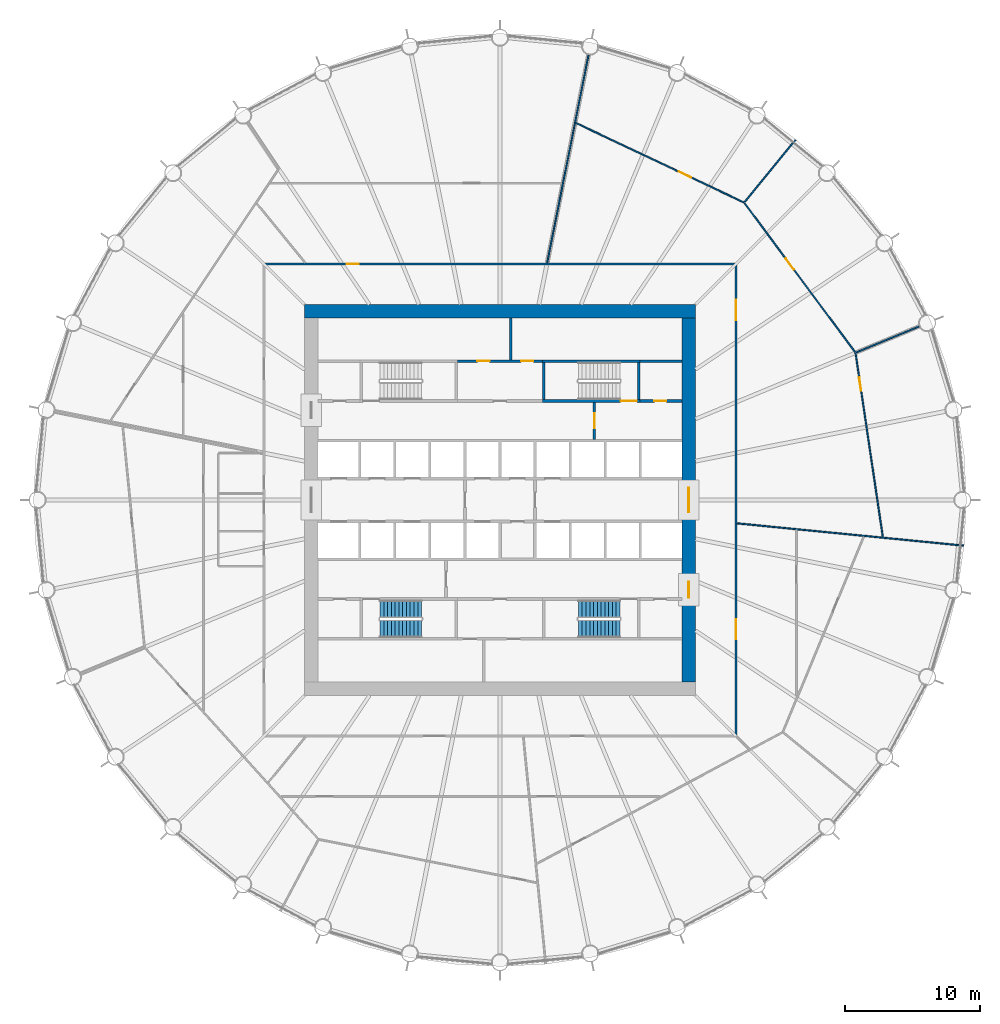
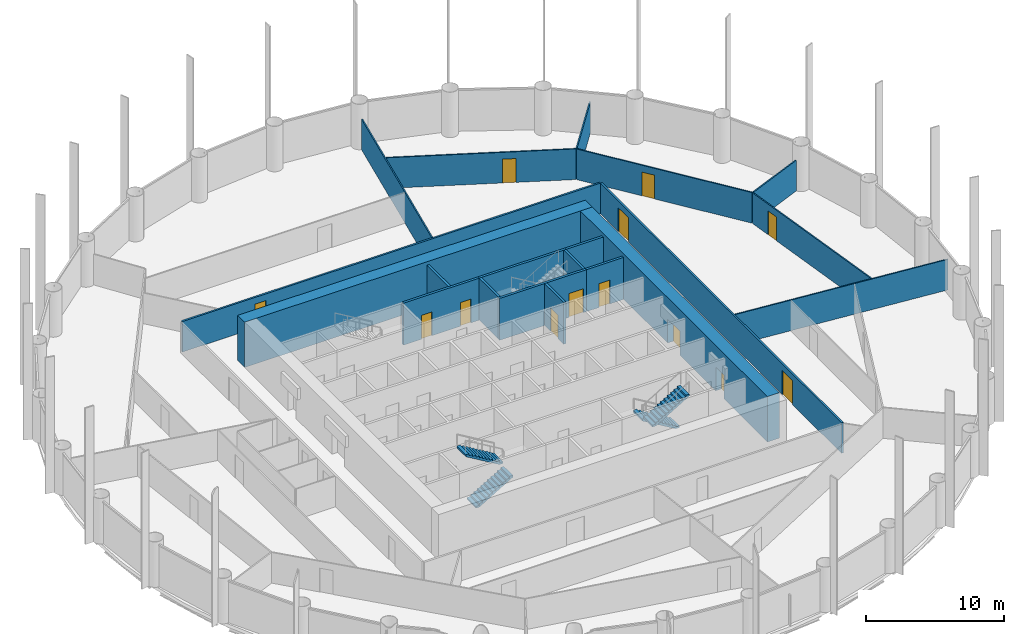
# One storey, part 7 of 10: 20 walls, 13 doors, 4 stair flights, 13 openings, 2 elements without a shape of their own.
"""IFC4 building model written with IfcOpenShell, lengths in metres."""

from ifc_helpers import new_model, si_unit, direction, frame, frame_2d, origin, place, context, subcontext, project, spatial, polyline, rectangle, outline, extrude, material, layer, layer_set, type_object, element, fill, aggregate, save


model = new_model("IFC4")

# Units and contexts
model_context = context("Model", 3, precision=1e-05, world=origin(), true_north=direction((0.0, 1.0)))
body_context = subcontext(model_context, "Body", "Model", "MODEL_VIEW")
ifc_project = project(units=[si_unit("LENGTHUNIT", "METRE"), si_unit("AREAUNIT", "SQUARE_METRE"), si_unit("VOLUMEUNIT", "CUBIC_METRE"), si_unit("PLANEANGLEUNIT", "RADIAN"), si_unit("MASSUNIT", "GRAM", prefix="KILO")], contexts=[model_context])

# Site, building, storey
site_placement = place(None, origin())
site = spatial("IfcSite", under=ifc_project, at=site_placement, CompositionType="ELEMENT")
building_placement = place(site_placement, origin())
building = spatial("IfcBuilding", under=site, at=building_placement, Name="Corvane Civic Tower", CompositionType="ELEMENT")
storey_placement = place(building_placement, frame((0.0, 0.0, 106.5)))
storey = spatial("IfcBuildingStorey", under=building, at=storey_placement, Name="L24", CompositionType="ELEMENT", Elevation=106.5)

# Wall
ifc_material_1 = material(Name="Concrete C70/85", Category="concrete")
ifc_layer_1 = layer(ifc_material_1, 1.0)
ifc_layer_set_1 = layer_set([ifc_layer_1], Name="Concrete C70/85")
wall_type_1 = type_object("IfcWallType", Name="CORE WALL 1000 C70/85", PredefinedType="SHEAR", material=ifc_layer_set_1)
wall_1_placement = place(storey_placement, frame((-14.5, 14.0, 0.0), z_axis=(0.0, 0.0, 1.0), x_axis=(1.0, 0.0, 0.0)))
element("IfcWall", 1, at=wall_1_placement, inside=storey, type_object=wall_type_1, Name="W-L24-core-N", PredefinedType="SHEAR", context=body_context, shape_type="SweptSolid", body=[
    extrude(rectangle(XDim=29.0, YDim=1.0, at=frame_2d((14.5, 0.0))), origin(), (0.0, 0.0, 1.0), 4.0),
])

# Wall, openings, doors
wall_2_placement = place(storey_placement, frame((14.0, -13.5, 0.0), z_axis=(0.0, 0.0, 1.0), x_axis=(0.0, 1.0, 0.0)))
wall_2 = element("IfcWall", 2, at=wall_2_placement, inside=storey, type_object=wall_type_1, Name="W-L24-core-E", PredefinedType="SHEAR", context=body_context, shape_type="SweptSolid", body=[
    extrude(rectangle(XDim=27.0, YDim=1.0, at=frame_2d((13.5, 0.0))), origin(), (0.0, 0.0, 1.0), 4.0),
])
opening_1_placement = place(wall_2_placement, frame((12.60009765625, 0.0, 0.0)))
opening_1 = element("IfcOpeningElement", 3, at=opening_1_placement, cuts=wall_2, Name="Opening L24.C21", PredefinedType="OPENING", context=body_context, shape_type="SweptSolid", body=[
    extrude(rectangle(XDim=1.800048828125, YDim=2.10009765625, at=frame_2d((0.89990234375, 1.050048828125))), frame((0.0, 0.510009765625, 0.0), z_axis=(0.0, -1.0, 0.0), x_axis=(1.0, 0.0, 0.0)), (0.0, 0.0, 1.0), 1.02001953125),
])
opening_2_placement = place(wall_2_placement, frame((6.25, 0.0, 0.0)))
opening_2 = element("IfcOpeningElement", 4, at=opening_2_placement, cuts=wall_2, Name="Opening L24.C23", PredefinedType="OPENING", context=body_context, shape_type="SweptSolid", body=[
    extrude(rectangle(XDim=1.199951171875, YDim=2.10009765625, at=frame_2d((0.60009765625, 1.050048828125))), frame((0.0, 0.510009765625, 0.0), z_axis=(0.0, -1.0, 0.0), x_axis=(1.0, 0.0, 0.0)), (0.0, 0.0, 1.0), 1.02001953125),
])
ifc_material_2 = material(Name="Steel fire door leaf", Category="steel")
door_type_1 = type_object("IfcDoorType", Name="CR-DOOR-CORE-1800", OperationType="DOUBLE_DOOR_SINGLE_SWING", PredefinedType="DOOR", material=ifc_material_2)
door_1_placement = place(opening_1_placement, origin())
door_1 = element("IfcDoor", 5, at=door_1_placement, inside=storey, type_object=door_type_1, Name="L24 door", OperationType="DOUBLE_DOOR_SINGLE_SWING", OverallHeight=2.10009765625, OverallWidth=1.800048828125, PredefinedType="DOOR", context=body_context, shape_type="SweptSolid", body=[
    extrude(rectangle(XDim=1.800048828125, YDim=2.10009765625, at=frame_2d((0.89990234375, 1.050048828125))), frame((0.0, 0.02490234375, 0.0), z_axis=(0.0, -1.0, 0.0), x_axis=(1.0, 0.0, 0.0)), (0.0, 0.0, 1.0), 0.050048828125),
])
fill(opening_1, door_1)
door_2_placement = place(opening_2_placement, origin())
door_2 = element("IfcDoor", 6, at=door_2_placement, inside=storey, type_object=door_type_1, Name="L24 door", OperationType="DOUBLE_DOOR_SINGLE_SWING", OverallHeight=2.10009765625, OverallWidth=1.199951171875, PredefinedType="DOOR", context=body_context, shape_type="SweptSolid", body=[
    extrude(rectangle(XDim=1.199951171875, YDim=2.10009765625, at=frame_2d((0.60009765625, 1.050048828125))), frame((0.0, 0.02490234375, 0.0), z_axis=(0.0, -1.0, 0.0), x_axis=(1.0, 0.0, 0.0)), (0.0, 0.0, 1.0), 0.050048828125),
])
fill(opening_2, door_2)

# Wall, opening, door
ifc_material_3 = material(Name="Concrete C30/37", Category="concrete")
ifc_layer_2 = layer(ifc_material_3, 0.199951171875)
ifc_layer_set_2 = layer_set([ifc_layer_2], Name="Concrete C30/37")
wall_type_2 = type_object("IfcWallType", Name="CR-WALL-200", PredefinedType="PARTITIONING", material=ifc_layer_set_2)
wall_3_placement = place(storey_placement, frame((10.39990234375, 7.35009765625, 0.0), z_axis=(0.0, 0.0, 1.0), x_axis=(1.0, 0.0, 0.0)))
wall_3 = element("IfcWall", 7, at=wall_3_placement, inside=storey, type_object=wall_type_2, Name="L24 core partition wall", PredefinedType="PARTITIONING", context=body_context, shape_type="SweptSolid", body=[
    extrude(rectangle(XDim=3.10009765625, YDim=0.199951171875, at=frame_2d((1.550048828125, 0.0))), origin(), (0.0, 0.0, 1.0), 3.699951171875),
])
opening_3_placement = place(wall_3_placement, frame((1.050048828125, 0.0, 0.0)))
opening_3 = element("IfcOpeningElement", 8, at=opening_3_placement, cuts=wall_3, Name="Opening L24.C10", PredefinedType="OPENING", context=body_context, shape_type="SweptSolid", body=[
    extrude(rectangle(XDim=0.89990234375, YDim=2.10009765625, at=frame_2d((0.449951171875, 1.050048828125))), frame((0.0, 0.10986328125, 0.0), z_axis=(0.0, -1.0, 0.0), x_axis=(1.0, 0.0, 0.0)), (0.0, 0.0, 1.0), 0.219970703125),
])
ifc_material_4 = material(Name="Steel fire door leaf", Category="steel")
door_type_2 = type_object("IfcDoorType", Name="CR-DOOR-900", OperationType="SINGLE_SWING_LEFT", PredefinedType="DOOR", material=ifc_material_4)
door_3_placement = place(opening_3_placement, origin())
door_3 = element("IfcDoor", 9, at=door_3_placement, inside=storey, type_object=door_type_2, Name="L24 door", OperationType="SINGLE_SWING_LEFT", OverallHeight=2.10009765625, OverallWidth=0.89990234375, PredefinedType="DOOR", context=body_context, shape_type="SweptSolid", body=[
    extrude(rectangle(XDim=0.89990234375, YDim=2.10009765625, at=frame_2d((0.449951171875, 1.050048828125))), frame((0.0, 0.02490234375, 0.0), z_axis=(0.0, -1.0, 0.0), x_axis=(1.0, 0.0, 0.0)), (0.0, 0.0, 1.0), 0.050048828125),
])
fill(opening_3, door_3)

# Wall, openings, doors
wall_4_placement = place(storey_placement, frame((-3.14990234375, 10.300048828125, 0.0), z_axis=(0.0, 0.0, 1.0), x_axis=(1.0, 0.0, 0.0)))
wall_4 = element("IfcWall", 10, at=wall_4_placement, inside=storey, type_object=wall_type_2, Name="L24 partition wall", PredefinedType="PARTITIONING", context=body_context, shape_type="SweptSolid", body=[
    extrude(rectangle(XDim=6.2998046875, YDim=0.199951171875, at=frame_2d((3.14990234375, 0.0))), origin(), (0.0, 0.0, 1.0), 3.699951171875),
])
opening_4_placement = place(wall_4_placement, frame((1.47509765625, 0.0, 0.0)))
opening_4 = element("IfcOpeningElement", 11, at=opening_4_placement, cuts=wall_4, Name="Opening L24.C04", PredefinedType="OPENING", context=body_context, shape_type="SweptSolid", body=[
    extrude(rectangle(XDim=0.89990234375, YDim=2.10009765625, at=frame_2d((0.449951171875, 1.050048828125))), frame((0.0, 0.10986328125, 0.0), z_axis=(0.0, -1.0, 0.0), x_axis=(1.0, 0.0, 0.0)), (0.0, 0.0, 1.0), 0.219970703125),
])
opening_5_placement = place(wall_4_placement, frame((4.72509765625, 0.0, 0.0)))
opening_5 = element("IfcOpeningElement", 12, at=opening_5_placement, cuts=wall_4, Name="Opening L24.C05", PredefinedType="OPENING", context=body_context, shape_type="SweptSolid", body=[
    extrude(rectangle(XDim=0.89990234375, YDim=2.10009765625, at=frame_2d((0.449951171875, 1.050048828125))), frame((0.0, 0.10986328125, 0.0), z_axis=(0.0, -1.0, 0.0), x_axis=(1.0, 0.0, 0.0)), (0.0, 0.0, 1.0), 0.219970703125),
])
door_4_placement = place(opening_4_placement, origin())
door_4 = element("IfcDoor", 13, at=door_4_placement, inside=storey, type_object=door_type_2, Name="L24 door", OperationType="SINGLE_SWING_LEFT", OverallHeight=2.10009765625, OverallWidth=0.89990234375, PredefinedType="DOOR", context=body_context, shape_type="SweptSolid", body=[
    extrude(rectangle(XDim=0.89990234375, YDim=2.10009765625, at=frame_2d((0.449951171875, 1.050048828125))), frame((0.0, 0.02490234375, 0.0), z_axis=(0.0, -1.0, 0.0), x_axis=(1.0, 0.0, 0.0)), (0.0, 0.0, 1.0), 0.050048828125),
])
fill(opening_4, door_4)
door_5_placement = place(opening_5_placement, origin())
door_5 = element("IfcDoor", 14, at=door_5_placement, inside=storey, type_object=door_type_2, Name="L24 door", OperationType="SINGLE_SWING_LEFT", OverallHeight=2.10009765625, OverallWidth=0.89990234375, PredefinedType="DOOR", context=body_context, shape_type="SweptSolid", body=[
    extrude(rectangle(XDim=0.89990234375, YDim=2.10009765625, at=frame_2d((0.449951171875, 1.050048828125))), frame((0.0, 0.02490234375, 0.0), z_axis=(0.0, -1.0, 0.0), x_axis=(1.0, 0.0, 0.0)), (0.0, 0.0, 1.0), 0.050048828125),
])
fill(opening_5, door_5)

# Wall, opening, door
wall_5_placement = place(storey_placement, frame((7.0, 4.5, 0.0), z_axis=(0.0, 0.0, 1.0), x_axis=(0.0, 1.0, 0.0)))
wall_5 = element("IfcWall", 15, at=wall_5_placement, inside=storey, type_object=wall_type_2, Name="L24 core partition wall", PredefinedType="PARTITIONING", context=body_context, shape_type="SweptSolid", body=[
    extrude(rectangle(XDim=2.75, YDim=0.199951171875, at=frame_2d((1.375, 0.0))), origin(), (0.0, 0.0, 1.0), 3.699951171875),
])
opening_6_placement = place(wall_5_placement, frame((0.824951171875, 0.0, 0.0)))
opening_6 = element("IfcOpeningElement", 16, at=opening_6_placement, cuts=wall_5, Name="Opening L24.C18", PredefinedType="OPENING", context=body_context, shape_type="SweptSolid", body=[
    extrude(rectangle(XDim=1.10009765625, YDim=2.10009765625, at=frame_2d((0.550048828125, 1.050048828125))), frame((0.0, 0.10986328125, 0.0), z_axis=(0.0, -1.0, 0.0), x_axis=(1.0, 0.0, 0.0)), (0.0, 0.0, 1.0), 0.219970703125),
])
ifc_material_5 = material(Name="Steel fire door leaf", Category="steel")
door_type_3 = type_object("IfcDoorType", Name="CR-DOOR-FFL-1100", OperationType="SINGLE_SWING_LEFT", PredefinedType="DOOR", material=ifc_material_5)
door_6_placement = place(opening_6_placement, origin())
door_6 = element("IfcDoor", 17, at=door_6_placement, inside=storey, type_object=door_type_3, Name="L24 lobby door", OperationType="SINGLE_SWING_LEFT", OverallHeight=2.10009765625, OverallWidth=1.10009765625, PredefinedType="DOOR", context=body_context, shape_type="SweptSolid", body=[
    extrude(rectangle(XDim=1.10009765625, YDim=2.10009765625, at=frame_2d((0.550048828125, 1.050048828125))), frame((0.0, 0.02490234375, 0.0), z_axis=(0.0, -1.0, 0.0), x_axis=(1.0, 0.0, 0.0)), (0.0, 0.0, 1.0), 0.050048828125),
])
fill(opening_6, door_6)

# Walls
wall_6_placement = place(storey_placement, origin())
element("IfcWall", 18, at=wall_6_placement, inside=storey, type_object=wall_type_2, Name="L24 core partition wall", PredefinedType="PARTITIONING", context=body_context, shape_type="SweptSolid", body=[
    extrude(outline(polyline([(0.89990234375, 10.39990234375), (0.699951171875, 10.39990234375), (0.699951171875, 13.5), (0.89990234375, 13.5), (0.89990234375, 10.39990234375)])), origin(), (0.0, 0.0, 1.0), 3.699951171875),
])
wall_7_placement = place(storey_placement, origin())
element("IfcWall", 19, at=wall_7_placement, inside=storey, type_object=wall_type_2, Name="L24 core partition wall", PredefinedType="PARTITIONING", context=body_context, shape_type="SweptSolid", body=[
    extrude(outline(polyline([(10.39990234375, 10.199951171875), (10.39990234375, 10.39990234375), (13.5, 10.39990234375), (13.5, 10.199951171875), (10.39990234375, 10.199951171875)])), origin(), (0.0, 0.0, 1.0), 3.699951171875),
])
ifc_material_6 = material(Name="Plasterboard")
ifc_layer_3 = layer(ifc_material_6, 0.10009765625)
ifc_layer_set_3 = layer_set([ifc_layer_3], Name="Plasterboard")
wall_type_3 = type_object("IfcWallType", Name="Partition 100 plasterboard on studs", PredefinedType="PARTITIONING", material=ifc_layer_set_3)
wall_8_placement = place(storey_placement, frame((17.579833984375, -1.7314453125, 0.0), z_axis=(0.0, 0.0, 1.0), x_axis=(0.995184818067, -0.098016212377, 0.0)))
element("IfcWall", 20, at=wall_8_placement, inside=storey, type_object=wall_type_3, Name="Partition L24.021", PredefinedType="PARTITIONING", context=body_context, shape_type="SweptSolid", body=[
    extrude(rectangle(XDim=16.88525390625, YDim=0.10009765625, at=frame_2d((8.442626953125, 0.0))), origin(), (0.0, 0.0, 1.0), 2.699951171875),
])

# Wall, opening, door
wall_9_placement = place(storey_placement, frame((26.376220703125, 10.884521484375, 0.0), z_axis=(0.0, 0.0, 1.0), x_axis=(0.146702255058, -0.989180695506, 0.0)))
wall_9 = element("IfcWall", 21, at=wall_9_placement, inside=storey, type_object=wall_type_3, Name="Partition L24.022", PredefinedType="PARTITIONING", context=body_context, shape_type="SweptSolid", body=[
    extrude(rectangle(XDim=13.767822265625, YDim=0.10009765625, at=frame_2d((6.8837890625, 0.0))), origin(), (0.0, 0.0, 1.0), 2.699951171875),
])
opening_7_placement = place(wall_9_placement, frame((1.8193359375, 0.0, 0.0)))
opening_7 = element("IfcOpeningElement", 22, at=opening_7_placement, cuts=wall_9, Name="Opening L24.003", PredefinedType="OPENING", context=body_context, shape_type="SweptSolid", body=[
    extrude(rectangle(XDim=1.0, YDim=2.10009765625, at=frame_2d((0.5, 1.050048828125))), frame((0.0, 0.06005859375, 0.0), z_axis=(0.0, -1.0, 0.0), x_axis=(1.0, 0.0, 0.0)), (0.0, 0.0, 1.0), 0.1201171875),
])
ifc_material_7 = material(Name="Timber", Category="wood")
door_type_4 = type_object("IfcDoorType", Name="Single door 1000", OperationType="NOTDEFINED", PredefinedType="DOOR", material=ifc_material_7)
door_7_placement = place(opening_7_placement, origin())
door_7 = element("IfcDoor", 23, at=door_7_placement, inside=storey, type_object=door_type_4, Name="Door L24.003", OperationType="SINGLE_SWING_LEFT", OverallHeight=2.10009765625, OverallWidth=1.0, PredefinedType="DOOR", context=body_context, shape_type="SweptSolid", body=[
    extrude(rectangle(XDim=1.0, YDim=2.10009765625, at=frame_2d((0.5, 1.050048828125))), frame((0.0, 0.02490234375, 0.0), z_axis=(0.0, -1.0, 0.0), x_axis=(1.0, 0.0, 0.0)), (0.0, 0.0, 1.0), 0.050048828125),
])
fill(opening_7, door_7)

# Wall
wall_10_placement = place(storey_placement, frame((26.406494140625, 10.93798828125, 0.0), z_axis=(0.0, 0.0, 1.0), x_axis=(0.923879254995, 0.382684102347, 0.0)))
element("IfcWall", 24, at=wall_10_placement, inside=storey, type_object=wall_type_3, Name="Partition L24.029", PredefinedType="PARTITIONING", context=body_context, shape_type="SweptSolid", body=[
    extrude(rectangle(XDim=5.082763671875, YDim=0.10009765625, at=frame_2d((2.54150390625, 0.0))), origin(), (0.0, 0.0, 1.0), 2.699951171875),
])

# Wall, opening, door
wall_11_placement = place(storey_placement, frame((18.130859375, 22.03271484375, 0.0), z_axis=(0.0, 0.0, 1.0), x_axis=(0.595700710937, -0.803206488388, 0.0)))
wall_11 = element("IfcWall", 25, at=wall_11_placement, inside=storey, type_object=wall_type_3, Name="Partition L24.030", PredefinedType="PARTITIONING", context=body_context, shape_type="SweptSolid", body=[
    extrude(rectangle(XDim=13.792724609375, YDim=0.10009765625, at=frame_2d((6.896484375, 0.0))), origin(), (0.0, 0.0, 1.0), 2.699951171875),
])
opening_8_placement = place(wall_11_placement, frame((5.144775390625, 0.0, 0.0)))
opening_8 = element("IfcOpeningElement", 26, at=opening_8_placement, cuts=wall_11, Name="Opening L24.002", PredefinedType="OPENING", context=body_context, shape_type="SweptSolid", body=[
    extrude(rectangle(XDim=1.0, YDim=2.10009765625, at=frame_2d((0.5, 1.050048828125))), frame((0.0, 0.06005859375, 0.0), z_axis=(0.0, -1.0, 0.0), x_axis=(1.0, 0.0, 0.0)), (0.0, 0.0, 1.0), 0.1201171875),
])
door_8_placement = place(opening_8_placement, origin())
door_8 = element("IfcDoor", 27, at=door_8_placement, inside=storey, type_object=door_type_4, Name="Door L24.002", OperationType="SINGLE_SWING_RIGHT", OverallHeight=2.10009765625, OverallWidth=1.0, PredefinedType="DOOR", context=body_context, shape_type="SweptSolid", body=[
    extrude(rectangle(XDim=1.0, YDim=2.10009765625, at=frame_2d((0.5, 1.050048828125))), frame((0.0, 0.02490234375, 0.0), z_axis=(0.0, -1.0, 0.0), x_axis=(1.0, 0.0, 0.0)), (0.0, 0.0, 1.0), 0.050048828125),
])
fill(opening_8, door_8)

# Wall
wall_12_placement = place(storey_placement, frame((3.497802734375, 17.584716796875, 0.0), z_axis=(0.0, 0.0, 1.0), x_axis=(0.195086660958, 0.980786008626, 0.0)))
element("IfcWall", 28, at=wall_12_placement, inside=storey, type_object=wall_type_3, Name="Partition L24.032", PredefinedType="PARTITIONING", context=body_context, shape_type="SweptSolid", body=[
    extrude(rectangle(XDim=15.735595703125, YDim=0.10009765625, at=frame_2d((7.86767578125, 0.0))), origin(), (0.0, 0.0, 1.0), 2.699951171875),
])

# Wall, opening, door
wall_13_placement = place(storey_placement, frame((5.62646484375, 27.967041015625, 0.0), z_axis=(0.0, 0.0, 1.0), x_axis=(0.903994764838, -0.42754352427, 0.0)))
wall_13 = element("IfcWall", 29, at=wall_13_placement, inside=storey, type_object=wall_type_3, Name="Partition L24.034", PredefinedType="PARTITIONING", context=body_context, shape_type="SweptSolid", body=[
    extrude(rectangle(XDim=13.767578125, YDim=0.10009765625, at=frame_2d((6.8837890625, 0.0))), origin(), (0.0, 0.0, 1.0), 2.699951171875),
])
opening_9_placement = place(wall_13_placement, frame((8.445068359375, 0.0, 0.0)))
opening_9 = element("IfcOpeningElement", 30, at=opening_9_placement, cuts=wall_13, Name="Opening L24.001", PredefinedType="OPENING", context=body_context, shape_type="SweptSolid", body=[
    extrude(rectangle(XDim=1.0, YDim=2.10009765625, at=frame_2d((0.5, 1.050048828125))), frame((0.0, 0.06005859375, 0.0), z_axis=(0.0, -1.0, 0.0), x_axis=(1.0, 0.0, 0.0)), (0.0, 0.0, 1.0), 0.1201171875),
])
door_9_placement = place(opening_9_placement, origin())
door_9 = element("IfcDoor", 31, at=door_9_placement, inside=storey, type_object=door_type_4, Name="Door L24.001", OperationType="SINGLE_SWING_LEFT", OverallHeight=2.10009765625, OverallWidth=1.0, PredefinedType="DOOR", context=body_context, shape_type="SweptSolid", body=[
    extrude(rectangle(XDim=1.0, YDim=2.10009765625, at=frame_2d((0.5, 1.050048828125))), frame((0.0, 0.02490234375, 0.0), z_axis=(0.0, -1.0, 0.0), x_axis=(1.0, 0.0, 0.0)), (0.0, 0.0, 1.0), 0.050048828125),
])
fill(opening_9, door_9)

# Wall
wall_14_placement = place(storey_placement, frame((18.13232421875, 22.09423828125, 0.0), z_axis=(0.0, 0.0, 1.0), x_axis=(0.634384310578, 0.773017817707, 0.0)))
element("IfcWall", 32, at=wall_14_placement, inside=storey, type_object=wall_type_3, Name="Partition L24.035", PredefinedType="PARTITIONING", context=body_context, shape_type="SweptSolid", body=[
    extrude(rectangle(XDim=5.96826171875, YDim=0.10009765625, at=frame_2d((2.984130859375, 0.0))), origin(), (0.0, 0.0, 1.0), 2.699951171875),
])

# Wall, opening, door
ifc_material_8 = material(Name="Concrete C50/60", Category="concrete")
ifc_layer_4 = layer(ifc_material_8, 0.199951171875)
ifc_layer_set_4 = layer_set([ifc_layer_4], Name="Concrete C50/60")
wall_type_4 = type_object("IfcWallType", Name="ST-WALL-200", PredefinedType="SHEAR", material=ifc_layer_set_4)
wall_15_placement = place(storey_placement, frame((3.14990234375, 7.35009765625, 0.0), z_axis=(0.0, 0.0, 1.0), x_axis=(1.0, 0.0, 0.0)))
wall_15 = element("IfcWall", 33, at=wall_15_placement, inside=storey, type_object=wall_type_4, Name="L24 stair enclosure wall", PredefinedType="SHEAR", context=body_context, shape_type="SweptSolid", body=[
    extrude(rectangle(XDim=7.25, YDim=0.199951171875, at=frame_2d((3.625, 0.0))), origin(), (0.0, 0.0, 1.0), 3.699951171875),
])
opening_10_placement = place(wall_15_placement, frame((5.800048828125, 0.0, 0.0)))
opening_10 = element("IfcOpeningElement", 34, at=opening_10_placement, cuts=wall_15, Name="Opening L24.C12", PredefinedType="OPENING", context=body_context, shape_type="SweptSolid", body=[
    extrude(rectangle(XDim=1.199951171875, YDim=2.10009765625, at=frame_2d((0.60009765625, 1.050048828125))), frame((0.0, 0.10986328125, 0.0), z_axis=(0.0, -1.0, 0.0), x_axis=(1.0, 0.0, 0.0)), (0.0, 0.0, 1.0), 0.219970703125),
])
ifc_material_9 = material(Name="Steel fire door leaf", Category="steel")
door_type_5 = type_object("IfcDoorType", Name="ST-DOOR-1200", OperationType="SINGLE_SWING_RIGHT", PredefinedType="DOOR", material=ifc_material_9)
door_10_placement = place(opening_10_placement, origin())
door_10 = element("IfcDoor", 35, at=door_10_placement, inside=storey, type_object=door_type_5, Name="L24 stair door", OperationType="SINGLE_SWING_RIGHT", OverallHeight=2.10009765625, OverallWidth=1.199951171875, PredefinedType="DOOR", context=body_context, shape_type="SweptSolid", body=[
    extrude(rectangle(XDim=1.199951171875, YDim=2.10009765625, at=frame_2d((0.60009765625, 1.050048828125))), frame((0.0, 0.02490234375, 0.0), z_axis=(0.0, -1.0, 0.0), x_axis=(1.0, 0.0, 0.0)), (0.0, 0.0, 1.0), 0.050048828125),
])
fill(opening_10, door_10)

# Walls
wall_16_placement = place(storey_placement, origin())
element("IfcWall", 36, at=wall_16_placement, inside=storey, type_object=wall_type_4, Name="L24 stair enclosure wall", PredefinedType="SHEAR", context=body_context, shape_type="SweptSolid", body=[
    extrude(outline(polyline([(10.39990234375, 10.199951171875), (3.14990234375, 10.199951171875), (3.14990234375, 10.39990234375), (10.39990234375, 10.39990234375), (10.39990234375, 10.199951171875)])), origin(), (0.0, 0.0, 1.0), 3.699951171875),
])
wall_17_placement = place(storey_placement, origin())
element("IfcWall", 37, at=wall_17_placement, inside=storey, type_object=wall_type_4, Name="L24 stair enclosure wall", PredefinedType="SHEAR", context=body_context, shape_type="SweptSolid", body=[
    extrude(outline(polyline([(3.35009765625, 7.449951171875), (3.14990234375, 7.449951171875), (3.14990234375, 10.199951171875), (3.35009765625, 10.199951171875), (3.35009765625, 7.449951171875)])), origin(), (0.0, 0.0, 1.0), 3.699951171875),
])
wall_18_placement = place(storey_placement, origin())
element("IfcWall", 38, at=wall_18_placement, inside=storey, type_object=wall_type_4, Name="L24 stair enclosure wall", PredefinedType="SHEAR", context=body_context, shape_type="SweptSolid", body=[
    extrude(outline(polyline([(10.39990234375, 7.449951171875), (10.199951171875, 7.449951171875), (10.199951171875, 10.199951171875), (10.39990234375, 10.199951171875), (10.39990234375, 7.449951171875)])), origin(), (0.0, 0.0, 1.0), 3.699951171875),
])

# Wall, openings, doors
ifc_material_10 = material(Name="Plasterboard")
ifc_layer_5 = layer(ifc_material_10, 0.14990234375)
ifc_layer_set_5 = layer_set([ifc_layer_5], Name="Plasterboard")
wall_type_5 = type_object("IfcWallType", Name="Tenancy wall 150 EI 60", PredefinedType="PARTITIONING", material=ifc_layer_set_5)
wall_19_placement = place(storey_placement, frame((17.5, -17.425048828125, 0.0), z_axis=(0.0, 0.0, 1.0), x_axis=(0.0, 1.0, 0.0)))
wall_19 = element("IfcWall", 39, at=wall_19_placement, inside=storey, type_object=wall_type_5, Name="Partition L24.013", PredefinedType="PARTITIONING", context=body_context, shape_type="SweptSolid", body=[
    extrude(rectangle(XDim=34.85009765625, YDim=0.14990234375, at=frame_2d((17.425048828125, 0.0))), origin(), (0.0, 0.0, 1.0), 2.699951171875),
])
opening_11_placement = place(wall_19_placement, frame((30.7646484375, 0.0, 0.0)))
opening_11 = element("IfcOpeningElement", 40, at=opening_11_placement, cuts=wall_19, Name="Opening L24.004", PredefinedType="OPENING", context=body_context, shape_type="SweptSolid", body=[
    extrude(rectangle(XDim=1.5, YDim=2.10009765625, at=frame_2d((0.75, 1.050048828125))), frame((0.0, 0.0849609375, 0.0), z_axis=(0.0, -1.0, 0.0), x_axis=(1.0, 0.0, 0.0)), (0.0, 0.0, 1.0), 0.169921875),
])
opening_12_placement = place(wall_19_placement, frame((7.081787109375, 0.0, 0.0)))
opening_12 = element("IfcOpeningElement", 41, at=opening_12_placement, cuts=wall_19, Name="Opening L24.009", PredefinedType="OPENING", context=body_context, shape_type="SweptSolid", body=[
    extrude(rectangle(XDim=1.5, YDim=2.10009765625, at=frame_2d((0.75, 1.050048828125))), frame((0.0, 0.0849609375, 0.0), z_axis=(0.0, -1.0, 0.0), x_axis=(1.0, 0.0, 0.0)), (0.0, 0.0, 1.0), 0.169921875),
])
ifc_material_11 = material(Name="Steel and timber", Category="steel")
door_type_6 = type_object("IfcDoorType", Name="Fire door FD60 double 1500", OperationType="NOTDEFINED", PredefinedType="DOOR", material=ifc_material_11)
door_11_placement = place(opening_11_placement, frame((1.5, 0.0, 0.0), z_axis=(0.0, 0.0, 1.0), x_axis=(-1.0, 0.0, 0.0)))
door_11 = element("IfcDoor", 42, at=door_11_placement, inside=storey, type_object=door_type_6, Name="Door L24.004", OperationType="DOUBLE_DOOR_SINGLE_SWING", OverallHeight=2.10009765625, OverallWidth=1.5, PredefinedType="DOOR", context=body_context, shape_type="SweptSolid", body=[
    extrude(rectangle(XDim=1.5, YDim=2.10009765625, at=frame_2d((0.75, 1.050048828125))), frame((0.0, 0.02490234375, 0.0), z_axis=(0.0, -1.0, 0.0), x_axis=(1.0, 0.0, 0.0)), (0.0, 0.0, 1.0), 0.050048828125),
])
fill(opening_11, door_11)
door_12_placement = place(opening_12_placement, frame((1.5, 0.0, 0.0), z_axis=(0.0, 0.0, 1.0), x_axis=(-1.0, 0.0, 0.0)))
door_12 = element("IfcDoor", 43, at=door_12_placement, inside=storey, type_object=door_type_6, Name="Door L24.009", OperationType="DOUBLE_DOOR_SINGLE_SWING", OverallHeight=2.10009765625, OverallWidth=1.5, PredefinedType="DOOR", context=body_context, shape_type="SweptSolid", body=[
    extrude(rectangle(XDim=1.5, YDim=2.10009765625, at=frame_2d((0.75, 1.050048828125))), frame((0.0, 0.02490234375, 0.0), z_axis=(0.0, -1.0, 0.0), x_axis=(1.0, 0.0, 0.0)), (0.0, 0.0, 1.0), 0.050048828125),
])
fill(opening_12, door_12)

# Wall, opening, door
wall_20_placement = place(storey_placement, frame((-17.425048828125, 17.5, 0.0), z_axis=(0.0, 0.0, 1.0), x_axis=(1.0, 0.0, 0.0)))
wall_20 = element("IfcWall", 44, at=wall_20_placement, inside=storey, type_object=wall_type_5, Name="Partition L24.031", PredefinedType="PARTITIONING", context=body_context, shape_type="SweptSolid", body=[
    extrude(rectangle(XDim=34.85009765625, YDim=0.14990234375, at=frame_2d((17.425048828125, 0.0))), origin(), (0.0, 0.0, 1.0), 2.699951171875),
])
opening_13_placement = place(wall_20_placement, frame((6.050537109375, 0.0, 0.0)))
opening_13 = element("IfcOpeningElement", 45, at=opening_13_placement, cuts=wall_20, Name="Opening L24.025", PredefinedType="OPENING", context=body_context, shape_type="SweptSolid", body=[
    extrude(rectangle(XDim=0.89990234375, YDim=2.10009765625, at=frame_2d((0.449951171875, 1.050048828125))), frame((0.0, 0.0849609375, 0.0), z_axis=(0.0, -1.0, 0.0), x_axis=(1.0, 0.0, 0.0)), (0.0, 0.0, 1.0), 0.169921875),
])
ifc_material_12 = material(Name="Steel and timber", Category="steel")
door_type_7 = type_object("IfcDoorType", Name="Fire door FD30S 900", OperationType="NOTDEFINED", PredefinedType="DOOR", material=ifc_material_12)
door_13_placement = place(opening_13_placement, origin())
door_13 = element("IfcDoor", 46, at=door_13_placement, inside=storey, type_object=door_type_7, Name="Door L24.025", OperationType="SINGLE_SWING_LEFT", OverallHeight=2.10009765625, OverallWidth=0.89990234375, PredefinedType="DOOR", context=body_context, shape_type="SweptSolid", body=[
    extrude(rectangle(XDim=0.89990234375, YDim=2.10009765625, at=frame_2d((0.449951171875, 1.050048828125))), frame((0.0, 0.02490234375, 0.0), z_axis=(0.0, -1.0, 0.0), x_axis=(1.0, 0.0, 0.0)), (0.0, 0.0, 1.0), 0.050048828125),
])
fill(opening_13, door_13)

# Stair, stair flights
ifc_material_13 = material(Name="Concrete C40/50", Category="concrete")
stair_type = type_object("IfcStairType", Name="ST-STAIR-HALFTURN", PredefinedType="HALF_TURN_STAIR", material=ifc_material_13)
stair_1_placement = place(storey_placement, origin())
stair_1 = element("IfcStair", 47, at=stair_1_placement, inside=storey, type_object=stair_type, Name="L24 Exit stair ST2", PredefinedType="HALF_TURN_STAIR")
ifc_material_14 = material(Name="Concrete C40/50", Category="concrete")
stair_flight_type = type_object("IfcStairFlightType", Name="ST-FLIGHT-RC", PredefinedType="STRAIGHT", material=ifc_material_14)
stair_flight_1_placement = place(storey_placement, frame((8.89990234375, -8.10009765625, 0.0), z_axis=(0.0, 0.0, 1.0), x_axis=(-1.0, 0.0, 0.0)))
stair_flight_1 = element("IfcStairFlight", 48, at=stair_flight_1_placement, type_object=stair_flight_type, Name="ST2 flight 1", NumberOfRisers=12, NumberOfTreads=11, PredefinedType="STRAIGHT", RiserHeight=0.166666667, TreadLength=0.28, context=body_context, shape_type="SweptSolid", body=[
    extrude(outline(polyline([(0.0, 0.0), (0.0, 0.166748046875), (0.280029296875, 0.166748046875), (0.280029296875, 0.333251953125), (0.56005859375, 0.333251953125), (0.56005859375, 0.5), (0.840087890625, 0.5), (0.840087890625, 0.666748046875), (1.1201171875, 0.666748046875), (1.1201171875, 0.833251953125), (1.39990234375, 0.833251953125), (1.39990234375, 1.0), (1.679931640625, 1.0), (1.679931640625, 1.166748046875), (1.9599609375, 1.166748046875), (1.9599609375, 1.333251953125), (2.239990234375, 1.333251953125), (2.239990234375, 1.5), (2.52001953125, 1.5), (2.52001953125, 1.666748046875), (2.800048828125, 1.666748046875), (2.800048828125, 1.833251953125), (3.080078125, 1.833251953125), (3.080078125, 2.0), (3.080078125, 1.658935546875), (0.29296875, 0.0), (0.0, 0.0)])), frame((0.0, 0.64990234375, 0.0), z_axis=(0.0, -1.0, 0.0), x_axis=(1.0, 0.0, 0.0)), (0.0, 0.0, 1.0), 1.300048828125),
])
stair_flight_2_placement = place(storey_placement, frame((5.820068359375, -9.550048828125, 2.0), z_axis=(0.0, 0.0, 1.0), x_axis=(1.0, 0.0, 0.0)))
stair_flight_2 = element("IfcStairFlight", 49, at=stair_flight_2_placement, type_object=stair_flight_type, Name="ST2 flight 2", NumberOfRisers=12, NumberOfTreads=11, PredefinedType="STRAIGHT", RiserHeight=0.166666667, TreadLength=0.28, context=body_context, shape_type="SweptSolid", body=[
    extrude(outline(polyline([(0.0, 0.0), (0.0, 0.166748046875), (0.280029296875, 0.166748046875), (0.280029296875, 0.333251953125), (0.56005859375, 0.333251953125), (0.56005859375, 0.5), (0.840087890625, 0.5), (0.840087890625, 0.666748046875), (1.1201171875, 0.666748046875), (1.1201171875, 0.833251953125), (1.39990234375, 0.833251953125), (1.39990234375, 1.0), (1.679931640625, 1.0), (1.679931640625, 1.166748046875), (1.9599609375, 1.166748046875), (1.9599609375, 1.333251953125), (2.239990234375, 1.333251953125), (2.239990234375, 1.5), (2.52001953125, 1.5), (2.52001953125, 1.666748046875), (2.800048828125, 1.666748046875), (2.800048828125, 1.833251953125), (3.080078125, 1.833251953125), (3.080078125, 2.0), (3.080078125, 1.658935546875), (0.29296875, 0.0), (0.0, 0.0)])), frame((0.0, 0.64990234375, 0.0), z_axis=(0.0, -1.0, 0.0), x_axis=(1.0, 0.0, 0.0)), (0.0, 0.0, 1.0), 1.300048828125),
])
aggregate(stair_1, [stair_flight_1, stair_flight_2])

stair_2_placement = place(storey_placement, origin())
stair_2 = element("IfcStair", 50, at=stair_2_placement, inside=storey, type_object=stair_type, Name="L24 Exit stair ST3", PredefinedType="HALF_TURN_STAIR")
stair_flight_3_placement = place(storey_placement, frame((-8.89990234375, -9.550048828125, 0.0), z_axis=(0.0, 0.0, 1.0), x_axis=(1.0, 0.0, 0.0)))
stair_flight_3 = element("IfcStairFlight", 51, at=stair_flight_3_placement, type_object=stair_flight_type, Name="ST3 flight 1", NumberOfRisers=12, NumberOfTreads=11, PredefinedType="STRAIGHT", RiserHeight=0.166666667, TreadLength=0.28, context=body_context, shape_type="SweptSolid", body=[
    extrude(outline(polyline([(0.0, 0.0), (0.0, 0.166748046875), (0.280029296875, 0.166748046875), (0.280029296875, 0.333251953125), (0.56005859375, 0.333251953125), (0.56005859375, 0.5), (0.840087890625, 0.5), (0.840087890625, 0.666748046875), (1.1201171875, 0.666748046875), (1.1201171875, 0.833251953125), (1.39990234375, 0.833251953125), (1.39990234375, 1.0), (1.679931640625, 1.0), (1.679931640625, 1.166748046875), (1.9599609375, 1.166748046875), (1.9599609375, 1.333251953125), (2.239990234375, 1.333251953125), (2.239990234375, 1.5), (2.52001953125, 1.5), (2.52001953125, 1.666748046875), (2.800048828125, 1.666748046875), (2.800048828125, 1.833251953125), (3.080078125, 1.833251953125), (3.080078125, 2.0), (3.080078125, 1.658935546875), (0.29296875, 0.0), (0.0, 0.0)])), frame((0.0, 0.64990234375, 0.0), z_axis=(0.0, -1.0, 0.0), x_axis=(1.0, 0.0, 0.0)), (0.0, 0.0, 1.0), 1.300048828125),
])
stair_flight_4_placement = place(storey_placement, frame((-5.820068359375, -8.10009765625, 2.0), z_axis=(0.0, 0.0, 1.0), x_axis=(-1.0, 0.0, 0.0)))
stair_flight_4 = element("IfcStairFlight", 52, at=stair_flight_4_placement, type_object=stair_flight_type, Name="ST3 flight 2", NumberOfRisers=12, NumberOfTreads=11, PredefinedType="STRAIGHT", RiserHeight=0.166666667, TreadLength=0.28, context=body_context, shape_type="SweptSolid", body=[
    extrude(outline(polyline([(0.0, 0.0), (0.0, 0.166748046875), (0.280029296875, 0.166748046875), (0.280029296875, 0.333251953125), (0.56005859375, 0.333251953125), (0.56005859375, 0.5), (0.840087890625, 0.5), (0.840087890625, 0.666748046875), (1.1201171875, 0.666748046875), (1.1201171875, 0.833251953125), (1.39990234375, 0.833251953125), (1.39990234375, 1.0), (1.679931640625, 1.0), (1.679931640625, 1.166748046875), (1.9599609375, 1.166748046875), (1.9599609375, 1.333251953125), (2.239990234375, 1.333251953125), (2.239990234375, 1.5), (2.52001953125, 1.5), (2.52001953125, 1.666748046875), (2.800048828125, 1.666748046875), (2.800048828125, 1.833251953125), (3.080078125, 1.833251953125), (3.080078125, 2.0), (3.080078125, 1.658935546875), (0.29296875, 0.0), (0.0, 0.0)])), frame((0.0, 0.64990234375, 0.0), z_axis=(0.0, -1.0, 0.0), x_axis=(1.0, 0.0, 0.0)), (0.0, 0.0, 1.0), 1.300048828125),
])
aggregate(stair_2, [stair_flight_3, stair_flight_4])

save(model, "model.ifc")
